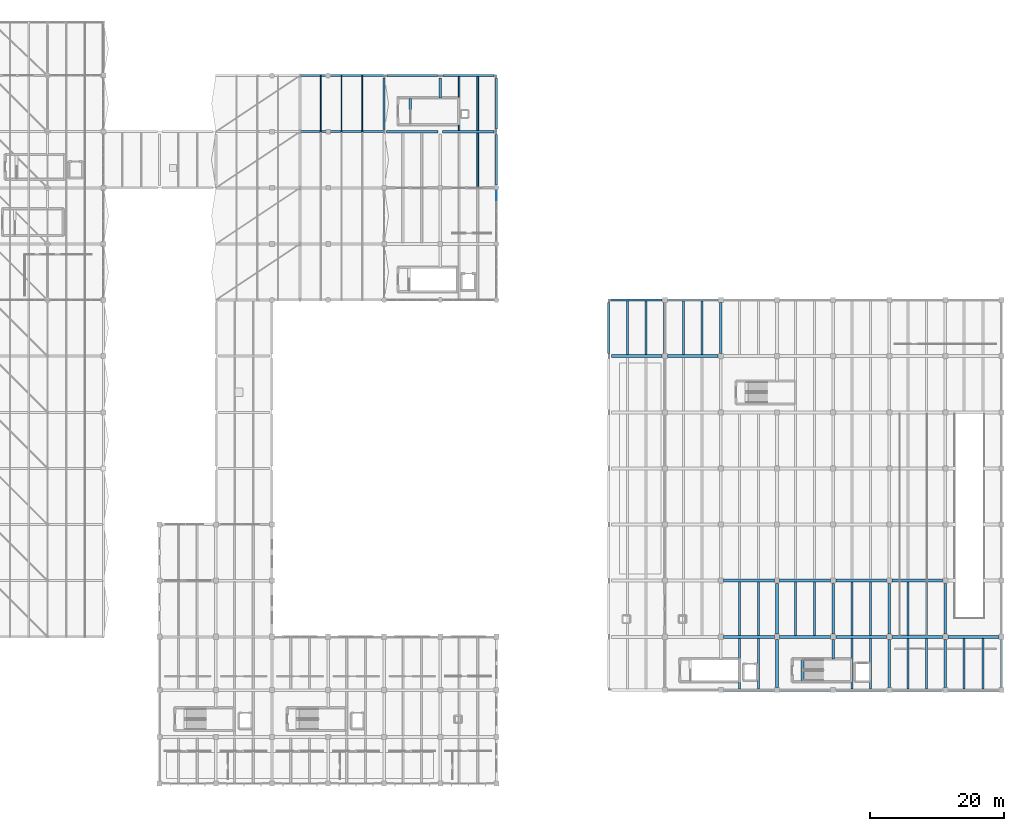
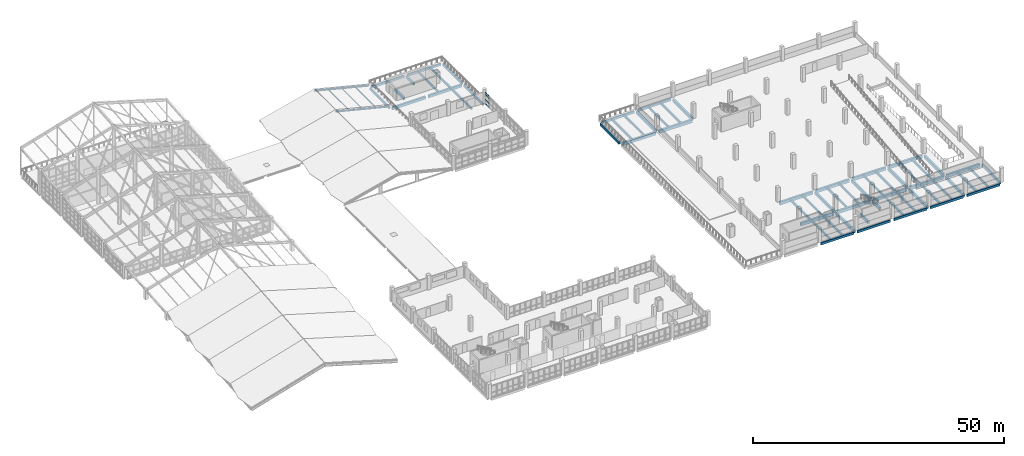
# One storey, part 61 of 95: 63 beams, 9 members, 1 element without a shape of its own.
"""IFC4 building model written with IfcOpenShell, lengths in metres."""

from ifc_helpers import new_model, si_unit, direction, frame, origin, origin_2d, place, context, subcontext, project, spatial, rectangle, hollow_rectangle, i_section, extrude, material, layer, layer_set, material_profile, profile_set, type_object, element, aggregate, save


model = new_model("IFC4")

# Units and contexts
model_context = context("Model", 3, precision=1e-05, world=origin(), true_north=direction((0.0, 1.0)))
body_context = subcontext(model_context, "Body", "Model", "MODEL_VIEW")
ifc_project = project(units=[si_unit("LENGTHUNIT", "METRE"), si_unit("AREAUNIT", "SQUARE_METRE"), si_unit("VOLUMEUNIT", "CUBIC_METRE"), si_unit("PLANEANGLEUNIT", "RADIAN"), si_unit("MASSUNIT", "GRAM", prefix="KILO"), si_unit("THERMODYNAMICTEMPERATUREUNIT", "KELVIN"), si_unit("POWERUNIT", "WATT")], contexts=[model_context])

# Site, building, storey
site_placement = place(None, origin())
site = spatial("IfcSite", under=ifc_project, at=site_placement, CompositionType="ELEMENT")
building_placement = place(site_placement, origin())
building = spatial("IfcBuilding", under=site, at=building_placement, Name="Mavoryth Pier Ferry Terminal", CompositionType="ELEMENT")
storey_placement = place(building_placement, frame((0.0, 0.0, 9.60009765625)))
storey = spatial("IfcBuildingStorey", under=building, at=storey_placement, Name="L02", CompositionType="ELEMENT", Elevation=9.60009765625)

# Beams
ifc_material_1 = material(Name="Concrete C35/45", Category="concrete")
ifc_material_profile_1 = material_profile(ifc_material_1, rectangle(XDim=0.35009765625, YDim=0.60009765625, at=origin_2d()), Name="RC 350x600", Category="concrete")
ifc_profile_set_1 = profile_set([ifc_material_profile_1], Name="Concrete C35/45 - RC 350x600")
beam_type_1 = type_object("IfcBeamType", Name="Girder-RC-350x600", PredefinedType="BEAM", material=ifc_profile_set_1)
beam_1_placement = place(storey_placement, frame((84.0, 102.679931640625, -0.66015625), z_axis=(0.0, 1.0, 0.0), x_axis=(-1.0, 0.0, 0.0)))
element("IfcBeam", 1, at=beam_1_placement, inside=storey, type_object=beam_type_1, Name="Beam B02-BG08-0735", PredefinedType="BEAM", context=body_context, shape_type="SweptSolid", body=[
    extrude(rectangle(XDim=0.35009765625, YDim=0.60009765625, at=origin_2d()), origin(), (0.0, 0.0, 1.0), 2.93017578125),
])
ifc_material_profile_2 = material_profile(ifc_material_1, rectangle(XDim=0.39990234375, YDim=0.64990234375, at=origin_2d()), Name="RC 400x650", Category="concrete")
ifc_profile_set_2 = profile_set([ifc_material_profile_2], Name="Concrete C35/45 - RC 400x650")
beam_type_2 = type_object("IfcBeamType", Name="Girder-RC-400x650", PredefinedType="BEAM", material=ifc_profile_set_2)
beam_2_placement = place(storey_placement, frame((75.949951171875, 97.60009765625, -0.68505859375), z_axis=(1.0, 0.0, 0.0), x_axis=(0.0, 1.0, 0.0)))
element("IfcBeam", 2, at=beam_2_placement, inside=storey, type_object=beam_type_2, Name="Beam B02-BG05-0724", PredefinedType="BEAM", context=body_context, shape_type="SweptSolid", body=[
    extrude(rectangle(XDim=0.39990234375, YDim=0.64990234375, at=origin_2d()), origin(), (0.0, 0.0, 1.0), 7.699951171875),
])
beam_3_placement = place(storey_placement, frame((84.35009765625, 97.60009765625, -0.68505859375), z_axis=(1.0, 0.0, 0.0), x_axis=(0.0, 1.0, 0.0)))
element("IfcBeam", 3, at=beam_3_placement, inside=storey, type_object=beam_type_2, Name="Beam B02-BG05-0725", PredefinedType="BEAM", context=body_context, shape_type="SweptSolid", body=[
    extrude(rectangle(XDim=0.39990234375, YDim=0.64990234375, at=origin_2d()), origin(), (0.0, 0.0, 1.0), 7.659912109375),
])
beam_4_placement = place(storey_placement, frame((138.219970703125, 15.39990234375, -0.3251953125), z_axis=(0.0, 1.0, 0.0), x_axis=(-1.0, 0.0, 0.0)))
element("IfcBeam", 4, at=beam_4_placement, inside=storey, type_object=beam_type_2, Name="Beam B02-BG05-1579", PredefinedType="BEAM", context=body_context, shape_type="SweptSolid", body=[
    extrude(rectangle(XDim=0.39990234375, YDim=0.64990234375, at=origin_2d()), origin(), (0.0, 0.0, 1.0), 3.150146484375),
])
beam_5_placement = place(storey_placement, frame((79.52001953125, 98.800048828125, -0.3251953125), z_axis=(0.0, 1.0, 0.0), x_axis=(-1.0, 0.0, 0.0)))
element("IfcBeam", 5, at=beam_5_placement, inside=storey, type_object=beam_type_2, Name="Beam B02-BG05-1595", PredefinedType="BEAM", context=body_context, shape_type="SweptSolid", body=[
    extrude(rectangle(XDim=0.39990234375, YDim=0.64990234375, at=origin_2d()), origin(), (0.0, 0.0, 1.0), 3.75),
])
ifc_material_profile_3 = material_profile(ifc_material_1, rectangle(XDim=0.39990234375, YDim=0.699951171875, at=origin_2d()), Name="RC 400x700", Category="concrete")
ifc_profile_set_3 = profile_set([ifc_material_profile_3], Name="Concrete C35/45 - RC 400x700")
beam_type_3 = type_object("IfcBeamType", Name="Girder-RC-400x700", PredefinedType="BEAM", material=ifc_profile_set_3)
for number, where, z_axis, x_axis, name in (
    (6, (117.60009765625, 64.39990234375, -0.710205078125), (0.0, 1.0, 0.0), (-1.0, 0.0, 0.0), "Beam B02-BG04-0824"),
    (7, (126.0, 64.39990234375, -0.650146484375), (0.0, 1.0, 0.0), (-1.0, 0.0, 0.0), "Beam B02-BG04-0831"),
):
    element("IfcBeam", number, at=place(storey_placement, frame(where, z_axis=z_axis, x_axis=x_axis)), inside=storey, type_object=beam_type_3, Name=name, PredefinedType="BEAM", context=body_context, shape_type="SweptSolid", body=[
        extrude(rectangle(XDim=0.39990234375, YDim=0.699951171875, at=origin_2d()), origin(), (0.0, 0.0, 1.0), 7.60009765625),
    ])
beam_6_placement = place(storey_placement, frame((134.39990234375, 14.39990234375, -0.650146484375), z_axis=(0.0, 1.0, 0.0), x_axis=(-1.0, 0.0, 0.0)))
element("IfcBeam", 8, at=beam_6_placement, inside=storey, type_object=beam_type_3, Name="Beam B02-BG04-0832", PredefinedType="BEAM", context=body_context, shape_type="SweptSolid", body=[
    extrude(rectangle(XDim=0.39990234375, YDim=0.699951171875, at=origin_2d()), origin(), (0.0, 0.0, 1.0), 7.2001953125),
])
beam_7_placement = place(storey_placement, frame((134.39990234375, 22.39990234375, -0.650146484375), z_axis=(0.0, 1.0, 0.0), x_axis=(-1.0, 0.0, 0.0)))
element("IfcBeam", 9, at=beam_7_placement, inside=storey, type_object=beam_type_3, Name="Beam B02-BG04-0833", PredefinedType="BEAM", context=body_context, shape_type="SweptSolid", body=[
    extrude(rectangle(XDim=0.39990234375, YDim=0.699951171875, at=origin_2d()), origin(), (0.0, 0.0, 1.0), 7.60009765625),
])
beam_8_placement = place(storey_placement, frame((142.800048828125, 18.679931640625, -0.650146484375), z_axis=(0.0, 1.0, 0.0), x_axis=(-1.0, 0.0, 0.0)))
element("IfcBeam", 10, at=beam_8_placement, inside=storey, type_object=beam_type_3, Name="Beam B02-BG04-0839", PredefinedType="BEAM", context=body_context, shape_type="SweptSolid", body=[
    extrude(rectangle(XDim=0.39990234375, YDim=0.699951171875, at=origin_2d()), origin(), (0.0, 0.0, 1.0), 2.920166015625),
])
beam_9_placement = place(storey_placement, frame((142.800048828125, 22.39990234375, -0.650146484375), z_axis=(0.0, 1.0, 0.0), x_axis=(-1.0, 0.0, 0.0)))
element("IfcBeam", 11, at=beam_9_placement, inside=storey, type_object=beam_type_3, Name="Beam B02-BG04-0840", PredefinedType="BEAM", context=body_context, shape_type="SweptSolid", body=[
    extrude(rectangle(XDim=0.39990234375, YDim=0.699951171875, at=origin_2d()), origin(), (0.0, 0.0, 1.0), 7.60009765625),
])
beam_10_placement = place(storey_placement, frame((151.199951171875, 14.39990234375, -0.650146484375), z_axis=(0.0, 1.0, 0.0), x_axis=(-1.0, 0.0, 0.0)))
element("IfcBeam", 12, at=beam_10_placement, inside=storey, type_object=beam_type_3, Name="Beam B02-BG04-0846", PredefinedType="BEAM", context=body_context, shape_type="SweptSolid", body=[
    extrude(rectangle(XDim=0.39990234375, YDim=0.699951171875, at=origin_2d()), origin(), (0.0, 0.0, 1.0), 7.2001953125),
])
beam_11_placement = place(storey_placement, frame((151.199951171875, 22.39990234375, -0.650146484375), z_axis=(0.0, 1.0, 0.0), x_axis=(-1.0, 0.0, 0.0)))
element("IfcBeam", 13, at=beam_11_placement, inside=storey, type_object=beam_type_3, Name="Beam B02-BG04-0847", PredefinedType="BEAM", context=body_context, shape_type="SweptSolid", body=[
    extrude(rectangle(XDim=0.39990234375, YDim=0.699951171875, at=origin_2d()), origin(), (0.0, 0.0, 1.0), 7.60009765625),
])
beam_12_placement = place(storey_placement, frame((159.60009765625, 14.39990234375, -0.650146484375), z_axis=(0.0, 1.0, 0.0), x_axis=(-1.0, 0.0, 0.0)))
element("IfcBeam", 14, at=beam_12_placement, inside=storey, type_object=beam_type_3, Name="Beam B02-BG04-0853", PredefinedType="BEAM", context=body_context, shape_type="SweptSolid", body=[
    extrude(rectangle(XDim=0.39990234375, YDim=0.699951171875, at=origin_2d()), origin(), (0.0, 0.0, 1.0), 7.2001953125),
])
beam_13_placement = place(storey_placement, frame((159.60009765625, 22.39990234375, -0.650146484375), z_axis=(0.0, 1.0, 0.0), x_axis=(-1.0, 0.0, 0.0)))
element("IfcBeam", 15, at=beam_13_placement, inside=storey, type_object=beam_type_3, Name="Beam B02-BG04-0854", PredefinedType="BEAM", context=body_context, shape_type="SweptSolid", body=[
    extrude(rectangle(XDim=0.39990234375, YDim=0.699951171875, at=origin_2d()), origin(), (0.0, 0.0, 1.0), 7.60009765625),
])
ifc_material_profile_4 = material_profile(ifc_material_1, rectangle(XDim=0.449951171875, YDim=0.75, at=origin_2d()), Name="RC 450x750", Category="concrete")
ifc_profile_set_4 = profile_set([ifc_material_profile_4], Name="Concrete C35/45 - RC 450x750")
beam_type_4 = type_object("IfcBeamType", Name="Girder-RC-450x750", PredefinedType="BEAM", material=ifc_profile_set_4)
beam_14_placement = place(storey_placement, frame((126.39990234375, 22.0, -0.675048828125), z_axis=(1.0, 0.0, 0.0), x_axis=(0.0, 1.0, 0.0)))
element("IfcBeam", 16, at=beam_14_placement, inside=storey, type_object=beam_type_4, Name="Beam B02-BG02-0761", PredefinedType="BEAM", context=body_context, shape_type="SweptSolid", body=[
    extrude(rectangle(XDim=0.449951171875, YDim=0.75, at=origin_2d()), origin(), (0.0, 0.0, 1.0), 7.60009765625),
])
beam_15_placement = place(storey_placement, frame((134.800048828125, 22.0, -0.675048828125), z_axis=(1.0, 0.0, 0.0), x_axis=(0.0, 1.0, 0.0)))
element("IfcBeam", 17, at=beam_15_placement, inside=storey, type_object=beam_type_4, Name="Beam B02-BG02-0762", PredefinedType="BEAM", context=body_context, shape_type="SweptSolid", body=[
    extrude(rectangle(XDim=0.449951171875, YDim=0.75, at=origin_2d()), origin(), (0.0, 0.0, 1.0), 7.599853515625),
])
beam_16_placement = place(storey_placement, frame((143.199951171875, 22.0, -0.675048828125), z_axis=(1.0, 0.0, 0.0), x_axis=(0.0, 1.0, 0.0)))
element("IfcBeam", 18, at=beam_16_placement, inside=storey, type_object=beam_type_4, Name="Beam B02-BG02-0763", PredefinedType="BEAM", context=body_context, shape_type="SweptSolid", body=[
    extrude(rectangle(XDim=0.449951171875, YDim=0.75, at=origin_2d()), origin(), (0.0, 0.0, 1.0), 7.60009765625),
])
beam_17_placement = place(storey_placement, frame((151.60009765625, 22.0, -0.675048828125), z_axis=(1.0, 0.0, 0.0), x_axis=(0.0, 1.0, 0.0)))
element("IfcBeam", 19, at=beam_17_placement, inside=storey, type_object=beam_type_4, Name="Beam B02-BG02-0764", PredefinedType="BEAM", context=body_context, shape_type="SweptSolid", body=[
    extrude(rectangle(XDim=0.449951171875, YDim=0.75, at=origin_2d()), origin(), (0.0, 0.0, 1.0), 7.599853515625),
])
for number, where, z_axis, x_axis, name in (
    (20, (160.0, 22.0, -0.675048828125), (1.0, 0.0, 0.0), (0.0, 1.0, 0.0), "Beam B02-BG02-0765"),
    (21, (126.39990234375, 30.39990234375, -0.675048828125), (1.0, 0.0, 0.0), (0.0, 1.0, 0.0), "Beam B02-BG02-0768"),
):
    element("IfcBeam", number, at=place(storey_placement, frame(where, z_axis=z_axis, x_axis=x_axis)), inside=storey, type_object=beam_type_4, Name=name, PredefinedType="BEAM", context=body_context, shape_type="SweptSolid", body=[
        extrude(rectangle(XDim=0.449951171875, YDim=0.75, at=origin_2d()), origin(), (0.0, 0.0, 1.0), 7.60009765625),
    ])
beam_18_placement = place(storey_placement, frame((134.800048828125, 30.39990234375, -0.675048828125), z_axis=(1.0, 0.0, 0.0), x_axis=(0.0, 1.0, 0.0)))
element("IfcBeam", 22, at=beam_18_placement, inside=storey, type_object=beam_type_4, Name="Beam B02-BG02-0769", PredefinedType="BEAM", context=body_context, shape_type="SweptSolid", body=[
    extrude(rectangle(XDim=0.449951171875, YDim=0.75, at=origin_2d()), origin(), (0.0, 0.0, 1.0), 7.599853515625),
])
beam_19_placement = place(storey_placement, frame((143.199951171875, 30.39990234375, -0.675048828125), z_axis=(1.0, 0.0, 0.0), x_axis=(0.0, 1.0, 0.0)))
element("IfcBeam", 23, at=beam_19_placement, inside=storey, type_object=beam_type_4, Name="Beam B02-BG02-0770", PredefinedType="BEAM", context=body_context, shape_type="SweptSolid", body=[
    extrude(rectangle(XDim=0.449951171875, YDim=0.75, at=origin_2d()), origin(), (0.0, 0.0, 1.0), 7.60009765625),
])
for number, where, z_axis, x_axis, name in (
    (24, (151.60009765625, 30.39990234375, -0.675048828125), (1.0, 0.0, 0.0), (0.0, 1.0, 0.0), "Beam B02-BG02-0771"),
    (25, (109.60009765625, 64.0, -0.735107421875), (1.0, 0.0, 0.0), (0.0, 1.0, 0.0), "Beam B02-BG02-0797"),
):
    element("IfcBeam", number, at=place(storey_placement, frame(where, z_axis=z_axis, x_axis=x_axis)), inside=storey, type_object=beam_type_4, Name=name, PredefinedType="BEAM", context=body_context, shape_type="SweptSolid", body=[
        extrude(rectangle(XDim=0.449951171875, YDim=0.75, at=origin_2d()), origin(), (0.0, 0.0, 1.0), 7.599853515625),
    ])
beam_20_placement = place(storey_placement, frame((118.0, 64.0, -0.675048828125), z_axis=(1.0, 0.0, 0.0), x_axis=(0.0, 1.0, 0.0)))
element("IfcBeam", 26, at=beam_20_placement, inside=storey, type_object=beam_type_4, Name="Beam B02-BG02-0798", PredefinedType="BEAM", context=body_context, shape_type="SweptSolid", body=[
    extrude(rectangle(XDim=0.449951171875, YDim=0.75, at=origin_2d()), origin(), (0.0, 0.0, 1.0), 7.60009765625),
])
ifc_material_profile_5 = material_profile(ifc_material_1, rectangle(XDim=0.280029296875, YDim=0.47998046875, at=origin_2d()), Name="RC 280x480", Category="concrete")
ifc_profile_set_5 = profile_set([ifc_material_profile_5], Name="Concrete C35/45 - RC 280x480")
beam_type_5 = type_object("IfcBeamType", Name="Joist-RC-280x480", PredefinedType="JOIST", material=ifc_profile_set_5)
beam_21_placement = place(storey_placement, frame((89.60009765625, 89.39990234375, -0.60009765625), z_axis=(0.0, 1.0, 0.0), x_axis=(-1.0, 0.0, 0.0)))
element("IfcBeam", 27, at=beam_21_placement, inside=storey, type_object=beam_type_5, Name="Beam B02-BJ02-0749", PredefinedType="JOIST", context=body_context, shape_type="SweptSolid", body=[
    extrude(rectangle(XDim=0.280029296875, YDim=0.47998046875, at=origin_2d()), origin(), (0.0, 0.0, 1.0), 8.0),
])
for number, where, z_axis, x_axis, name in (
    (28, (86.800048828125, 97.800048828125, -0.60009765625), (0.0, 1.0, 0.0), (-1.0, 0.0, 0.0), "Beam B02-BJ02-0750"),
    (29, (89.60009765625, 97.800048828125, -0.60009765625), (0.0, 1.0, 0.0), (-1.0, 0.0, 0.0), "Beam B02-BJ02-0751"),
):
    element("IfcBeam", number, at=place(storey_placement, frame(where, z_axis=z_axis, x_axis=x_axis)), inside=storey, type_object=beam_type_5, Name=name, PredefinedType="JOIST", context=body_context, shape_type="SweptSolid", body=[
        extrude(rectangle(XDim=0.280029296875, YDim=0.47998046875, at=origin_2d()), origin(), (0.0, 0.0, 1.0), 8.050048828125),
    ])
ifc_material_profile_6 = material_profile(ifc_material_1, rectangle(XDim=0.300048828125, YDim=0.5, at=origin_2d()), Name="RC 300x500", Category="concrete")
ifc_profile_set_6 = profile_set([ifc_material_profile_6], Name="Concrete C35/45 - RC 300x500")
beam_type_6 = type_object("IfcBeamType", Name="Joist-RC-300x500", PredefinedType="JOIST", material=ifc_profile_set_6)
for number, where, z_axis, x_axis, name in (
    (30, (112.0, 64.22509765625, -0.610107421875), (0.0, 1.0, 0.0), (-1.0, 0.0, 0.0), "Beam B02-BJ01-0879"),
    (31, (114.800048828125, 64.22509765625, -0.610107421875), (0.0, 1.0, 0.0), (-1.0, 0.0, 0.0), "Beam B02-BJ01-0880"),
    (32, (120.39990234375, 64.22509765625, -0.550048828125), (0.0, 1.0, 0.0), (-1.0, 0.0, 0.0), "Beam B02-BJ01-0891"),
    (33, (123.199951171875, 64.22509765625, -0.550048828125), (0.0, 1.0, 0.0), (-1.0, 0.0, 0.0), "Beam B02-BJ01-0892"),
):
    element("IfcBeam", number, at=place(storey_placement, frame(where, z_axis=z_axis, x_axis=x_axis)), inside=storey, type_object=beam_type_6, Name=name, PredefinedType="JOIST", context=body_context, shape_type="SweptSolid", body=[
        extrude(rectangle(XDim=0.300048828125, YDim=0.5, at=origin_2d()), origin(), (0.0, 0.0, 1.0), 8.014892578125),
    ])
for number, where, z_axis, x_axis, name in (
    (34, (128.800048828125, 14.159912109375, -0.550048828125), (0.0, 1.0, 0.0), (-1.0, 0.0, 0.0), "Beam B02-BJ01-0893"),
    (35, (131.60009765625, 14.159912109375, -0.550048828125), (0.0, 1.0, 0.0), (-1.0, 0.0, 0.0), "Beam B02-BJ01-0894"),
):
    element("IfcBeam", number, at=place(storey_placement, frame(where, z_axis=z_axis, x_axis=x_axis)), inside=storey, type_object=beam_type_6, Name=name, PredefinedType="JOIST", context=body_context, shape_type="SweptSolid", body=[
        extrude(rectangle(XDim=0.300048828125, YDim=0.5, at=origin_2d()), origin(), (0.0, 0.0, 1.0), 7.614990234375),
    ])
for number, where, z_axis, x_axis, name in (
    (36, (128.800048828125, 22.22509765625, -0.550048828125), (0.0, 1.0, 0.0), (-1.0, 0.0, 0.0), "Beam B02-BJ01-0895"),
    (37, (131.60009765625, 22.22509765625, -0.550048828125), (0.0, 1.0, 0.0), (-1.0, 0.0, 0.0), "Beam B02-BJ01-0896"),
    (38, (137.199951171875, 22.22509765625, -0.550048828125), (0.0, 1.0, 0.0), (-1.0, 0.0, 0.0), "Beam B02-BJ01-0905"),
    (39, (140.0, 22.22509765625, -0.550048828125), (0.0, 1.0, 0.0), (-1.0, 0.0, 0.0), "Beam B02-BJ01-0906"),
):
    element("IfcBeam", number, at=place(storey_placement, frame(where, z_axis=z_axis, x_axis=x_axis)), inside=storey, type_object=beam_type_6, Name=name, PredefinedType="JOIST", context=body_context, shape_type="SweptSolid", body=[
        extrude(rectangle(XDim=0.300048828125, YDim=0.5, at=origin_2d()), origin(), (0.0, 0.0, 1.0), 7.949951171875),
    ])
for number, where, z_axis, x_axis, name in (
    (40, (145.60009765625, 14.159912109375, -0.550048828125), (0.0, 1.0, 0.0), (-1.0, 0.0, 0.0), "Beam B02-BJ01-0917"),
    (41, (148.39990234375, 14.159912109375, -0.550048828125), (0.0, 1.0, 0.0), (-1.0, 0.0, 0.0), "Beam B02-BJ01-0918"),
):
    element("IfcBeam", number, at=place(storey_placement, frame(where, z_axis=z_axis, x_axis=x_axis)), inside=storey, type_object=beam_type_6, Name=name, PredefinedType="JOIST", context=body_context, shape_type="SweptSolid", body=[
        extrude(rectangle(XDim=0.300048828125, YDim=0.5, at=origin_2d()), origin(), (0.0, 0.0, 1.0), 7.614990234375),
    ])
for number, where, z_axis, x_axis, name in (
    (42, (145.60009765625, 22.22509765625, -0.550048828125), (0.0, 1.0, 0.0), (-1.0, 0.0, 0.0), "Beam B02-BJ01-0919"),
    (43, (148.39990234375, 22.22509765625, -0.550048828125), (0.0, 1.0, 0.0), (-1.0, 0.0, 0.0), "Beam B02-BJ01-0920"),
):
    element("IfcBeam", number, at=place(storey_placement, frame(where, z_axis=z_axis, x_axis=x_axis)), inside=storey, type_object=beam_type_6, Name=name, PredefinedType="JOIST", context=body_context, shape_type="SweptSolid", body=[
        extrude(rectangle(XDim=0.300048828125, YDim=0.5, at=origin_2d()), origin(), (0.0, 0.0, 1.0), 7.949951171875),
    ])
for number, where, z_axis, x_axis, name in (
    (44, (154.0, 14.159912109375, -0.550048828125), (0.0, 1.0, 0.0), (-1.0, 0.0, 0.0), "Beam B02-BJ01-0931"),
    (45, (156.800048828125, 14.159912109375, -0.550048828125), (0.0, 1.0, 0.0), (-1.0, 0.0, 0.0), "Beam B02-BJ01-0932"),
):
    element("IfcBeam", number, at=place(storey_placement, frame(where, z_axis=z_axis, x_axis=x_axis)), inside=storey, type_object=beam_type_6, Name=name, PredefinedType="JOIST", context=body_context, shape_type="SweptSolid", body=[
        extrude(rectangle(XDim=0.300048828125, YDim=0.5, at=origin_2d()), origin(), (0.0, 0.0, 1.0), 7.614990234375),
    ])
for number, where, z_axis, x_axis, name in (
    (46, (154.0, 22.22509765625, -0.550048828125), (0.0, 1.0, 0.0), (-1.0, 0.0, 0.0), "Beam B02-BJ01-0933"),
    (47, (156.800048828125, 22.22509765625, -0.550048828125), (0.0, 1.0, 0.0), (-1.0, 0.0, 0.0), "Beam B02-BJ01-0934"),
):
    element("IfcBeam", number, at=place(storey_placement, frame(where, z_axis=z_axis, x_axis=x_axis)), inside=storey, type_object=beam_type_6, Name=name, PredefinedType="JOIST", context=body_context, shape_type="SweptSolid", body=[
        extrude(rectangle(XDim=0.300048828125, YDim=0.5, at=origin_2d()), origin(), (0.0, 0.0, 1.0), 7.949951171875),
    ])
for number, where, z_axis, x_axis, name in (
    (48, (162.39990234375, 14.159912109375, -0.550048828125), (0.0, 1.0, 0.0), (-1.0, 0.0, 0.0), "Beam B02-BJ01-0945"),
    (49, (165.199951171875, 14.159912109375, -0.550048828125), (0.0, 1.0, 0.0), (-1.0, 0.0, 0.0), "Beam B02-BJ01-0946"),
):
    element("IfcBeam", number, at=place(storey_placement, frame(where, z_axis=z_axis, x_axis=x_axis)), inside=storey, type_object=beam_type_6, Name=name, PredefinedType="JOIST", context=body_context, shape_type="SweptSolid", body=[
        extrude(rectangle(XDim=0.300048828125, YDim=0.5, at=origin_2d()), origin(), (0.0, 0.0, 1.0), 7.614990234375),
    ])

# Members
ifc_material_2 = material(Name="Steel S355J2", Category="steel")
ifc_material_profile_7 = material_profile(ifc_material_2, i_section(OverallWidth=0.1201171875, OverallDepth=0.239990234375, WebThickness=0.006103515625, FlangeThickness=0.009765625, FilletRadius=0.014892578125, at=origin_2d()), Name="IPE 240", Category="steel")
ifc_profile_set_7 = profile_set([ifc_material_profile_7], Name="Steel S355J2 - IPE 240")
member_type_1 = type_object("IfcMemberType", Name="Purlin-Roof-IPE240", PredefinedType="PURLIN", material=ifc_profile_set_7)
for number, where, z_axis, x_axis, name in (
    (50, (66.10009765625, 97.60009765625, 2.333740234375), (0.0, 1.0, 0.0), (-1.0, 0.0, 0.0), "Steel Member MB-L02-0233"),
    (51, (69.199951171875, 97.60009765625, 1.557373046875), (0.0, 1.0, 0.0), (-1.0, 0.0, 0.0), "Steel Member MB-L02-0234"),
    (52, (72.300048828125, 97.60009765625, 0.78076171875), (0.0, 1.0, 0.0), (-1.0, 0.0, 0.0), "Steel Member MB-L02-0235"),
):
    element("IfcMember", number, at=place(storey_placement, frame(where, z_axis=z_axis, x_axis=x_axis)), inside=storey, type_object=member_type_1, Name=name, PredefinedType="PURLIN", context=body_context, shape_type="SweptSolid", body=[
        extrude(i_section(OverallWidth=0.1201171875, OverallDepth=0.239990234375, WebThickness=0.006103515625, FlangeThickness=0.009765625, FilletRadius=0.014892578125, at=origin_2d()), origin(), (0.0, 0.0, 1.0), 8.39990234375),
    ])
ifc_material_profile_8 = material_profile(ifc_material_2, i_section(OverallWidth=0.300048828125, OverallDepth=0.340087890625, WebThickness=0.011962890625, FlangeThickness=0.021484375, FilletRadius=0.027099609375, at=origin_2d()), Name="HEB 340", Category="steel")
ifc_profile_set_8 = profile_set([ifc_material_profile_8], Name="Steel S355J2 - HEB 340")
member_type_2 = type_object("IfcMemberType", Name="Rafter-Pitched-HEB340", PredefinedType="RAFTER", material=ifc_profile_set_8)
member_1_placement = place(storey_placement, frame((63.0, 97.60009765625, 3.095703125), z_axis=(0.970299337146, 0.0, -0.241907412731), x_axis=(0.0, 1.0, 0.0)))
element("IfcMember", 53, at=member_1_placement, inside=storey, type_object=member_type_2, Name="Steel Member MB-L02-0200", PredefinedType="RAFTER", context=body_context, shape_type="SweptSolid", body=[
    extrude(i_section(OverallWidth=0.300048828125, OverallDepth=0.340087890625, WebThickness=0.011962890625, FlangeThickness=0.021484375, FilletRadius=0.027099609375, at=origin_2d()), origin(), (0.0, 0.0, 1.0), 12.98583984375),
])
ifc_material_profile_9 = material_profile(ifc_material_2, i_section(OverallWidth=0.300048828125, OverallDepth=0.39990234375, WebThickness=0.013427734375, FlangeThickness=0.02392578125, FilletRadius=0.027099609375, at=origin_2d()), Name="HEB 400", Category="steel")
ifc_profile_set_9 = profile_set([ifc_material_profile_9], Name="Steel S355J2 - HEB 400")
member_type_3 = type_object("IfcMemberType", Name="Rafter-Pitched-HEB400", PredefinedType="RAFTER", material=ifc_profile_set_9)
member_2_placement = place(storey_placement, frame((63.0, 106.0, 3.095703125), z_axis=(0.970299337146, 0.0, -0.241907412731), x_axis=(0.0, 1.0, 0.0)))
element("IfcMember", 54, at=member_2_placement, inside=storey, type_object=member_type_3, Name="Steel Member MB-L02-0203", PredefinedType="RAFTER", context=body_context, shape_type="SweptSolid", body=[
    extrude(i_section(OverallWidth=0.300048828125, OverallDepth=0.39990234375, WebThickness=0.013427734375, FlangeThickness=0.02392578125, FilletRadius=0.027099609375, at=origin_2d()), origin(), (0.0, 0.0, 1.0), 12.98583984375),
])

# Beams
ifc_material_profile_10 = material_profile(ifc_material_1, rectangle(XDim=0.300048828125, YDim=0.5400390625, at=origin_2d()), Name="RC 300x540", Category="concrete")
ifc_profile_set_10 = profile_set([ifc_material_profile_10], Name="Concrete C35/45 - RC 300x540")
beam_type_7 = type_object("IfcBeamType", Name="Spandrel-RC-300x540", PredefinedType="SPANDREL", material=ifc_profile_set_10)
for number, where, z_axis, x_axis, name in (
    (55, (75.989990234375, 106.0, -0.630126953125), (1.0, 0.0, 0.0), (0.0, 1.0, 0.0), "Beam B02-SP02-0726"),
    (56, (84.389892578125, 106.0, -0.630126953125), (1.0, 0.0, 0.0), (0.0, 1.0, 0.0), "Beam B02-SP02-0727"),
):
    element("IfcBeam", number, at=place(storey_placement, frame(where, z_axis=z_axis, x_axis=x_axis)), inside=storey, type_object=beam_type_7, Name=name, PredefinedType="SPANDREL", context=body_context, shape_type="SweptSolid", body=[
        extrude(rectangle(XDim=0.300048828125, YDim=0.5400390625, at=origin_2d()), origin(), (0.0, 0.0, 1.0), 7.6201171875),
    ])
beam_22_placement = place(storey_placement, frame((75.60009765625, 97.949951171875, -0.630126953125), z_axis=(0.0, 1.0, 0.0), x_axis=(-1.0, 0.0, 0.0)))
element("IfcBeam", 57, at=beam_22_placement, inside=storey, type_object=beam_type_7, Name="Beam B02-SP02-0731", PredefinedType="SPANDREL", context=body_context, shape_type="SweptSolid", body=[
    extrude(rectangle(XDim=0.300048828125, YDim=0.5400390625, at=origin_2d()), origin(), (0.0, 0.0, 1.0), 7.66015625),
])
beam_23_placement = place(storey_placement, frame((92.39990234375, 89.590087890625, -0.630126953125), z_axis=(0.0, 1.0, 0.0), x_axis=(-1.0, 0.0, 0.0)))
element("IfcBeam", 58, at=beam_23_placement, inside=storey, type_object=beam_type_7, Name="Beam B02-SP02-0738", PredefinedType="SPANDREL", context=body_context, shape_type="SweptSolid", body=[
    extrude(rectangle(XDim=0.300048828125, YDim=0.5400390625, at=origin_2d()), origin(), (0.0, 0.0, 1.0), 7.619873046875),
])
beam_24_placement = place(storey_placement, frame((92.39990234375, 97.989990234375, -0.630126953125), z_axis=(0.0, 1.0, 0.0), x_axis=(-1.0, 0.0, 0.0)))
element("IfcBeam", 59, at=beam_24_placement, inside=storey, type_object=beam_type_7, Name="Beam B02-SP02-0739", PredefinedType="SPANDREL", context=body_context, shape_type="SweptSolid", body=[
    extrude(rectangle(XDim=0.300048828125, YDim=0.5400390625, at=origin_2d()), origin(), (0.0, 0.0, 1.0), 7.6201171875),
])
ifc_material_profile_11 = material_profile(ifc_material_1, rectangle(XDim=0.320068359375, YDim=0.56005859375, at=origin_2d()), Name="RC 320x560", Category="concrete")
ifc_profile_set_11 = profile_set([ifc_material_profile_11], Name="Concrete C35/45 - RC 320x560")
beam_type_8 = type_object("IfcBeamType", Name="Spandrel-RC-320x560", PredefinedType="SPANDREL", material=ifc_profile_set_11)
beam_25_placement = place(storey_placement, frame((126.39990234375, 14.0, -0.580078125), z_axis=(1.0, 0.0, 0.0), x_axis=(0.0, 1.0, 0.0)))
element("IfcBeam", 60, at=beam_25_placement, inside=storey, type_object=beam_type_8, Name="Beam B02-SP01-0754", PredefinedType="SPANDREL", context=body_context, shape_type="SweptSolid", body=[
    extrude(rectangle(XDim=0.320068359375, YDim=0.56005859375, at=origin_2d()), origin(), (0.0, 0.0, 1.0), 7.60009765625),
])
beam_26_placement = place(storey_placement, frame((134.800048828125, 14.0, -0.580078125), z_axis=(1.0, 0.0, 0.0), x_axis=(0.0, 1.0, 0.0)))
element("IfcBeam", 61, at=beam_26_placement, inside=storey, type_object=beam_type_8, Name="Beam B02-SP01-0755", PredefinedType="SPANDREL", context=body_context, shape_type="SweptSolid", body=[
    extrude(rectangle(XDim=0.320068359375, YDim=0.56005859375, at=origin_2d()), origin(), (0.0, 0.0, 1.0), 7.599853515625),
])
beam_27_placement = place(storey_placement, frame((143.199951171875, 14.0, -0.580078125), z_axis=(1.0, 0.0, 0.0), x_axis=(0.0, 1.0, 0.0)))
element("IfcBeam", 62, at=beam_27_placement, inside=storey, type_object=beam_type_8, Name="Beam B02-SP01-0756", PredefinedType="SPANDREL", context=body_context, shape_type="SweptSolid", body=[
    extrude(rectangle(XDim=0.320068359375, YDim=0.56005859375, at=origin_2d()), origin(), (0.0, 0.0, 1.0), 7.60009765625),
])
beam_28_placement = place(storey_placement, frame((151.60009765625, 14.0, -0.580078125), z_axis=(1.0, 0.0, 0.0), x_axis=(0.0, 1.0, 0.0)))
element("IfcBeam", 63, at=beam_28_placement, inside=storey, type_object=beam_type_8, Name="Beam B02-SP01-0757", PredefinedType="SPANDREL", context=body_context, shape_type="SweptSolid", body=[
    extrude(rectangle(XDim=0.320068359375, YDim=0.56005859375, at=origin_2d()), origin(), (0.0, 0.0, 1.0), 7.599853515625),
])
beam_29_placement = place(storey_placement, frame((160.0, 14.0, -0.580078125), z_axis=(1.0, 0.0, 0.0), x_axis=(0.0, 1.0, 0.0)))
element("IfcBeam", 64, at=beam_29_placement, inside=storey, type_object=beam_type_8, Name="Beam B02-SP01-0758", PredefinedType="SPANDREL", context=body_context, shape_type="SweptSolid", body=[
    extrude(rectangle(XDim=0.320068359375, YDim=0.56005859375, at=origin_2d()), origin(), (0.0, 0.0, 1.0), 7.60009765625),
])
beam_30_placement = place(storey_placement, frame((109.60009765625, 72.39990234375, -0.64013671875), z_axis=(1.0, 0.0, 0.0), x_axis=(0.0, 1.0, 0.0)))
element("IfcBeam", 65, at=beam_30_placement, inside=storey, type_object=beam_type_8, Name="Beam B02-SP01-0804", PredefinedType="SPANDREL", context=body_context, shape_type="SweptSolid", body=[
    extrude(rectangle(XDim=0.320068359375, YDim=0.56005859375, at=origin_2d()), origin(), (0.0, 0.0, 1.0), 7.599853515625),
])
for number, where, z_axis, x_axis, name in (
    (66, (118.0, 72.39990234375, -0.580078125), (1.0, 0.0, 0.0), (0.0, 1.0, 0.0), "Beam B02-SP01-0805"),
    (67, (109.199951171875, 64.39990234375, -0.64013671875), (0.0, 1.0, 0.0), (-1.0, 0.0, 0.0), "Beam B02-SP01-0817"),
):
    element("IfcBeam", number, at=place(storey_placement, frame(where, z_axis=z_axis, x_axis=x_axis)), inside=storey, type_object=beam_type_8, Name=name, PredefinedType="SPANDREL", context=body_context, shape_type="SweptSolid", body=[
        extrude(rectangle(XDim=0.320068359375, YDim=0.56005859375, at=origin_2d()), origin(), (0.0, 0.0, 1.0), 7.60009765625),
    ])
beam_31_placement = place(storey_placement, frame((168.0, 14.39990234375, -0.580078125), z_axis=(0.0, 1.0, 0.0), x_axis=(-1.0, 0.0, 0.0)))
element("IfcBeam", 68, at=beam_31_placement, inside=storey, type_object=beam_type_8, Name="Beam B02-SP01-0860", PredefinedType="SPANDREL", context=body_context, shape_type="SweptSolid", body=[
    extrude(rectangle(XDim=0.320068359375, YDim=0.56005859375, at=origin_2d()), origin(), (0.0, 0.0, 1.0), 7.2001953125),
])

# Curtain wall, members
ifc_material_3 = material(Name="Anodised Aluminium and Solar-Control Low-E Glass", Category="aluminium")
ifc_layer = layer(ifc_material_3, 0.159912109375, Name="Anodised Aluminium and Solar-Control Low-E Glass", Category="aluminium")
ifc_layer_set = layer_set([ifc_layer], Name="Anodised Aluminium and Solar-Control Low-E Glass - CW-Arrivals-Mod1400")
curtain_wall_type = type_object("IfcCurtainWallType", Name="CW-Arrivals-Mod1400", PredefinedType="USERDEFINED", material=ifc_layer_set)
curtain_wall_placement = place(storey_placement, origin())
curtain_wall = element("IfcCurtainWall", 69, at=curtain_wall_placement, inside=storey, type_object=curtain_wall_type, Name="Curtain Wall CW-0222-073", ObjectType="UNITISED CURTAIN WALL", PredefinedType="USERDEFINED")
ifc_material_4 = material(Name="Anodised Aluminium EN AW-6063", Category="aluminium")
ifc_material_profile_12 = material_profile(ifc_material_4, hollow_rectangle(XDim=0.06005859375, YDim=0.125, WallThickness=0.00390625, InnerFilletRadius=0.00390625, OuterFilletRadius=0.008056640625, at=origin_2d()), Name="AL-TRAN 125x60x4", Category="aluminium")
ifc_profile_set_12 = profile_set([ifc_material_profile_12], Name="Anodised Aluminium EN AW-6063 - AL-TRAN 125x60x4")
member_type_4 = type_object("IfcMemberType", Name="Transom-Alum-125x60", PredefinedType="USERDEFINED", material=ifc_profile_set_12)
member_3_placement = place(storey_placement, frame((92.39990234375, 87.31591796875, 0.02978515625), z_axis=(0.0, 1.0, 0.0), x_axis=(-1.0, 0.0, 0.0)))
member_3 = element("IfcMember", 70, at=member_3_placement, type_object=member_type_4, Name="CW04 transom 5.1", ObjectType="TRANSOM", PredefinedType="USERDEFINED", context=body_context, shape_type="SweptSolid", body=[
    extrude(hollow_rectangle(XDim=0.06005859375, YDim=0.125, WallThickness=0.00390625, InnerFilletRadius=0.00390625, OuterFilletRadius=0.008056640625, at=origin_2d()), origin(), (0.0, 0.0, 1.0), 1.43408203125),
])
member_4_placement = place(storey_placement, frame((92.39990234375, 87.31591796875, 1.0498046875), z_axis=(0.0, 1.0, 0.0), x_axis=(-1.0, 0.0, 0.0)))
member_4 = element("IfcMember", 71, at=member_4_placement, type_object=member_type_4, Name="CW04 transom 5.2", ObjectType="TRANSOM", PredefinedType="USERDEFINED", context=body_context, shape_type="SweptSolid", body=[
    extrude(hollow_rectangle(XDim=0.06005859375, YDim=0.125, WallThickness=0.00390625, InnerFilletRadius=0.00390625, OuterFilletRadius=0.008056640625, at=origin_2d()), origin(), (0.0, 0.0, 1.0), 1.43408203125),
])
member_5_placement = place(storey_placement, frame((92.39990234375, 87.31591796875, 2.25), z_axis=(0.0, 1.0, 0.0), x_axis=(-1.0, 0.0, 0.0)))
member_5 = element("IfcMember", 72, at=member_5_placement, type_object=member_type_4, Name="CW04 transom 5.3", ObjectType="TRANSOM", PredefinedType="USERDEFINED", context=body_context, shape_type="SweptSolid", body=[
    extrude(hollow_rectangle(XDim=0.06005859375, YDim=0.125, WallThickness=0.00390625, InnerFilletRadius=0.00390625, OuterFilletRadius=0.008056640625, at=origin_2d()), origin(), (0.0, 0.0, 1.0), 1.43408203125),
])
member_6_placement = place(storey_placement, frame((92.39990234375, 87.31591796875, 2.77490234375), z_axis=(0.0, 1.0, 0.0), x_axis=(-1.0, 0.0, 0.0)))
member_6 = element("IfcMember", 73, at=member_6_placement, type_object=member_type_4, Name="CW04 transom 5.4", ObjectType="TRANSOM", PredefinedType="USERDEFINED", context=body_context, shape_type="SweptSolid", body=[
    extrude(hollow_rectangle(XDim=0.06005859375, YDim=0.125, WallThickness=0.00390625, InnerFilletRadius=0.00390625, OuterFilletRadius=0.008056640625, at=origin_2d()), origin(), (0.0, 0.0, 1.0), 1.43408203125),
])
aggregate(curtain_wall, [member_3, member_4, member_5, member_6])

save(model, "model.ifc")
